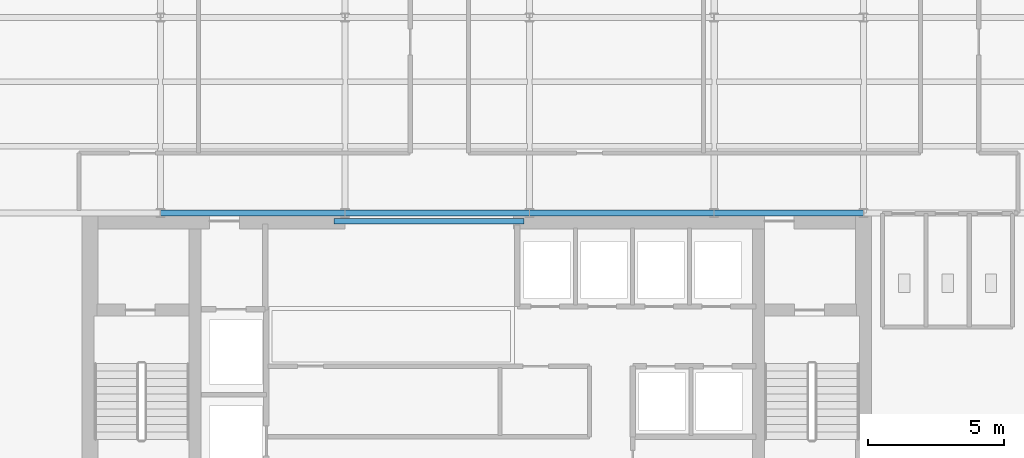
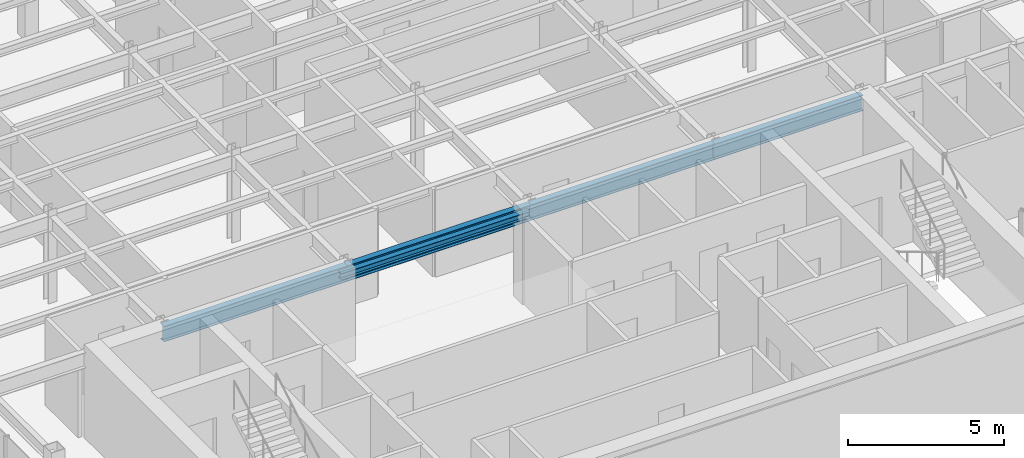
# One storey, part 4 of 22: 5 beams.
"""IFC4 building model written with IfcOpenShell, lengths in metres."""

from ifc_helpers import new_model, si_unit, derived_unit, direction, frame, origin, origin_2d, place, context, subcontext, project, spatial, i_section, extrude, source, transform, mapped, material, material_profile, profile_set, type_object, element, save


model = new_model("IFC4")

# Units and contexts
model_context = context("Model", 3, precision=1e-05, world=origin(), true_north=direction((0.0, 1.0)))
body_context = subcontext(model_context, "Body", "Model", "MODEL_VIEW")
ifc_project = project(units=[si_unit("LENGTHUNIT", "METRE"), si_unit("AREAUNIT", "SQUARE_METRE"), si_unit("VOLUMEUNIT", "CUBIC_METRE"), si_unit("PLANEANGLEUNIT", "RADIAN"), si_unit("MASSUNIT", "GRAM", prefix="KILO"), derived_unit("THERMALTRANSMITTANCEUNIT", [(si_unit("POWERUNIT", "WATT"), 1), (si_unit("LENGTHUNIT", "METRE"), -2), (si_unit("THERMODYNAMICTEMPERATUREUNIT", "KELVIN"), -1)])], contexts=[model_context])

# Site, building, storey
site_placement = place(None, origin())
site = spatial("IfcSite", under=ifc_project, at=site_placement, CompositionType="ELEMENT")
building_placement = place(site_placement, origin())
building = spatial("IfcBuilding", under=site, at=building_placement, Name="Skarnbrae Concourse Arena and Tower", CompositionType="ELEMENT")
storey_placement = place(building_placement, frame((0.0, 0.0, 258.800048828125)))
storey = spatial("IfcBuildingStorey", under=building, at=storey_placement, Name="L67", CompositionType="ELEMENT", Elevation=258.800048828125)

# Beams
ifc_material = material(Name="Steel CSA G40.21 350W", Category="steel")
ifc_material_profile_1 = material_profile(ifc_material, i_section(OverallWidth=0.202880859375, OverallDepth=0.251953125, WebThickness=0.008056640625, FlangeThickness=0.013427734375, at=origin_2d()), Name="W250X58")
ifc_profile_set_1 = profile_set([ifc_material_profile_1], Name="Steel CSA G40.21 350W")
beam_type_1 = type_object("IfcBeamType", Name="BM-LINTEL-W250X58", PredefinedType="LINTEL", material=ifc_profile_set_1)
shared_shape_1 = source(origin(), body_context, "Body", "SweptSolid", [
    extrude(i_section(OverallWidth=0.202880859375, OverallDepth=0.251953125, WebThickness=0.008056640625, FlangeThickness=0.013427734375, at=origin_2d()), origin(), (0.0, 0.0, 1.0), 7.0),
])
beam_1_placement = place(storey_placement, frame((14.0, 13.699951171875, 3.27392578125), z_axis=(1.0, 0.0, 0.0), x_axis=(0.0, 1.0, 0.0)))
element("IfcBeam", 1, at=beam_1_placement, inside=storey, type_object=beam_type_1, Name="L67 Core portal coupling lintel", PredefinedType="LINTEL", context=body_context, shape_type="MappedRepresentation", body=[
    mapped(shared_shape_1, transform((0.0, 0.0, 0.0))),
])
ifc_material_profile_2 = material_profile(ifc_material, i_section(OverallWidth=0.22802734375, OverallDepth=0.60791015625, WebThickness=0.01123046875, FlangeThickness=0.017333984375, at=origin_2d()), Name="W610X113")
ifc_profile_set_2 = profile_set([ifc_material_profile_2], Name="Steel CSA G40.21 350W")
beam_type_2 = type_object("IfcBeamType", Name="BM-GIRD-W610X113", PredefinedType="BEAM", material=ifc_profile_set_2)
shared_shape_2 = source(origin(), body_context, "Body", "SweptSolid", [
    extrude(i_section(OverallWidth=0.22802734375, OverallDepth=0.60791015625, WebThickness=0.01123046875, FlangeThickness=0.017333984375, at=origin_2d()), origin(), (0.0, 0.0, 1.0), 6.7998046875),
])
beam_2_placement = place(storey_placement, frame((7.60009765625, 14.0, 3.095947265625), z_axis=(1.0, 0.0, 0.0), x_axis=(0.0, 1.0, 0.0)))
element("IfcBeam", 2, at=beam_2_placement, inside=storey, type_object=beam_type_2, Name="L67 Primary E-W girder Y14.0-2", PredefinedType="BEAM", context=body_context, shape_type="MappedRepresentation", body=[
    mapped(shared_shape_2, transform((0.0, 0.0, 0.0))),
])
shared_shape_3 = source(origin(), body_context, "Body", "SweptSolid", [
    extrude(i_section(OverallWidth=0.22802734375, OverallDepth=0.60791015625, WebThickness=0.01123046875, FlangeThickness=0.017333984375, at=origin_2d()), origin(), (0.0, 0.0, 1.0), 6.800048828125),
])
for number, where, z_axis, x_axis, name in (
    (3, (14.39990234375, 14.0, 3.095947265625), (1.0, 0.0, 0.0), (0.0, 1.0, 0.0), "L67 Primary E-W girder Y14.0-3"),
    (4, (21.199951171875, 14.0, 3.095947265625), (1.0, 0.0, 0.0), (0.0, 1.0, 0.0), "L67 Primary E-W girder Y14.0-4"),
):
    element("IfcBeam", number, at=place(storey_placement, frame(where, z_axis=z_axis, x_axis=x_axis)), inside=storey, type_object=beam_type_2, Name=name, PredefinedType="BEAM", context=body_context, shape_type="MappedRepresentation", body=[
        mapped(shared_shape_3, transform((0.0, 0.0, 0.0))),
    ])
shared_shape_4 = source(origin(), body_context, "Body", "SweptSolid", [
    extrude(i_section(OverallWidth=0.22802734375, OverallDepth=0.60791015625, WebThickness=0.01123046875, FlangeThickness=0.017333984375, at=origin_2d()), origin(), (0.0, 0.0, 1.0), 5.5),
])
beam_3_placement = place(storey_placement, frame((28.0, 14.0, 3.095947265625), z_axis=(1.0, 0.0, 0.0), x_axis=(0.0, 1.0, 0.0)))
element("IfcBeam", 5, at=beam_3_placement, inside=storey, type_object=beam_type_2, Name="L67 Primary E-W girder Y14.0-5", PredefinedType="BEAM", context=body_context, shape_type="MappedRepresentation", body=[
    mapped(shared_shape_4, transform((0.0, 0.0, 0.0))),
])

save(model, "model.ifc")
